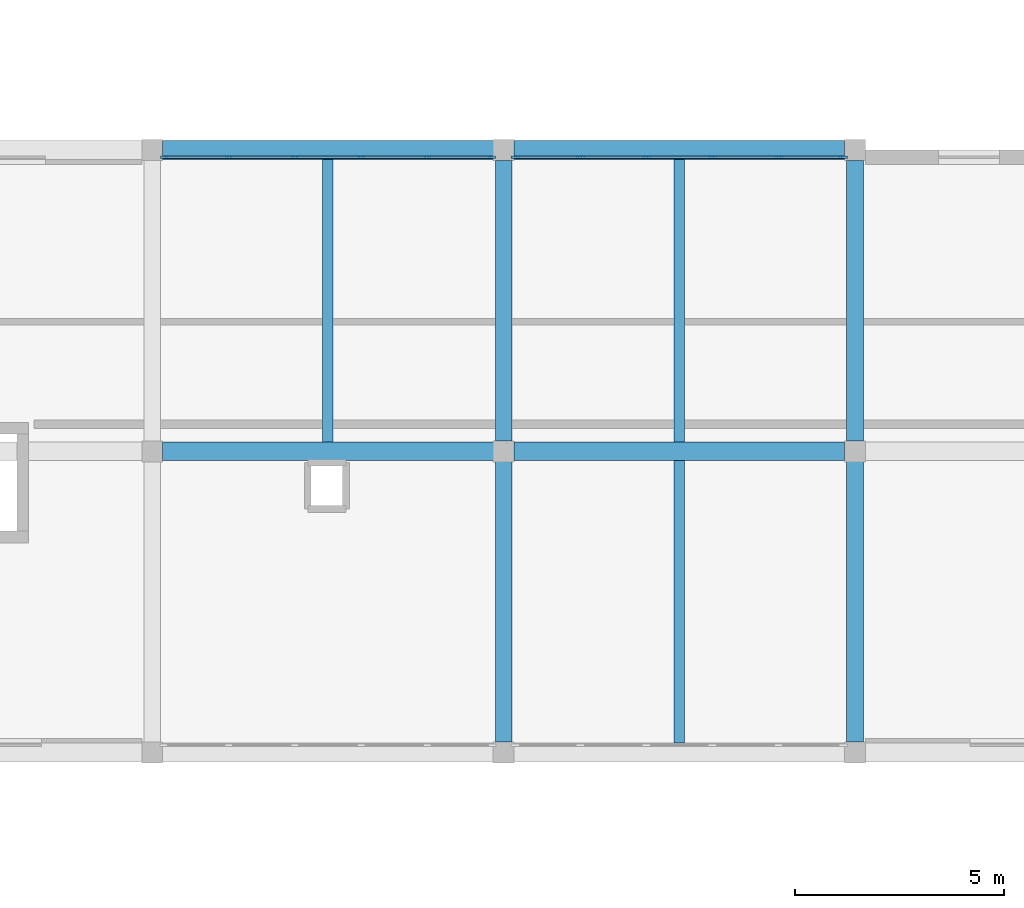
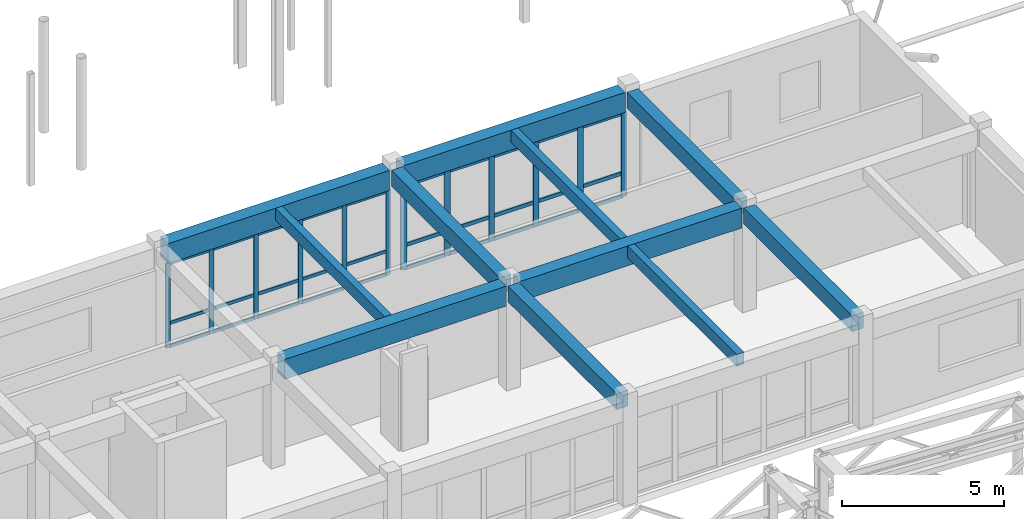
# One storey, part 49 of 90: 42 members, 11 beams, 2 elements without a shape of their own.
"""IFC4 building model written with IfcOpenShell, lengths in metres."""

from ifc_helpers import new_model, si_unit, direction, frame, origin, origin_2d, place, context, subcontext, project, spatial, rectangle, extrude, material, material_profile, profile_set, type_object, element, aggregate, save


model = new_model("IFC4")

# Units and contexts
model_context = context("Model", 3, precision=1e-05, world=origin(), true_north=direction((0.0, 1.0)))
body_context = subcontext(model_context, "Body", "Model", "MODEL_VIEW")
ifc_project = project(units=[si_unit("LENGTHUNIT", "METRE"), si_unit("AREAUNIT", "SQUARE_METRE"), si_unit("VOLUMEUNIT", "CUBIC_METRE"), si_unit("PLANEANGLEUNIT", "RADIAN"), si_unit("MASSUNIT", "GRAM", prefix="KILO")], contexts=[model_context])

# Site, building, storey
site_placement = place(None, origin())
site = spatial("IfcSite", under=ifc_project, at=site_placement, CompositionType="ELEMENT")
building_placement = place(site_placement, origin())
building = spatial("IfcBuilding", under=site, at=building_placement, Name="Malvenik Polytechnic", CompositionType="ELEMENT")
storey_placement = place(building_placement, frame((0.0, 0.0, 9.300048828125)))
storey = spatial("IfcBuildingStorey", under=building, at=storey_placement, Name="L02", CompositionType="ELEMENT", Elevation=9.300048828125)

# Curtain wall, members
ifc_material_1 = material(Name="Anodised aluminium 6060-T6", Category="aluminium")
curtain_wall_type = type_object("IfcCurtainWallType", Name="ARC-CW-CW-03", PredefinedType="NOTDEFINED", material=ifc_material_1)
curtain_wall_1_placement = place(storey_placement, origin())
curtain_wall_1 = element("IfcCurtainWall", 1, at=curtain_wall_1_placement, inside=storey, type_object=curtain_wall_type, Name="Unitised Curtain Wall CW-03 L02 #155", PredefinedType="NOTDEFINED")
ifc_material_2 = material(Name="Anodised aluminium", Category="aluminium")
ifc_material_profile_1 = material_profile(ifc_material_2, rectangle(XDim=0.06005859375, YDim=0.159912109375, at=origin_2d()), Name="ALU MULLION 60x160")
ifc_profile_set_1 = profile_set([ifc_material_profile_1], Name="Anodised aluminium")
member_type_1 = type_object("IfcMemberType", Name="ARC-CWM-160", PredefinedType="MULLION", material=ifc_profile_set_1)
member_1_placement = place(storey_placement, frame((109.47802734375, 93.429931640625, 0.0), z_axis=(0.0, 0.0, 1.0), x_axis=(0.0, 1.0, 0.0)))
member_1 = element("IfcMember", 2, at=member_1_placement, type_object=member_type_1, Name="CW-03 mullion 1", PredefinedType="MULLION", context=body_context, shape_type="SweptSolid", body=[
    extrude(rectangle(XDim=0.06005859375, YDim=0.159912109375, at=origin_2d()), origin(), (0.0, 0.0, 1.0), 3.179931640625),
])
member_2_placement = place(storey_placement, frame((111.02880859375, 93.429931640625, 0.0), z_axis=(0.0, 0.0, 1.0), x_axis=(0.0, 1.0, 0.0)))
member_2 = element("IfcMember", 3, at=member_2_placement, type_object=member_type_1, Name="CW-03 mullion 2", PredefinedType="MULLION", context=body_context, shape_type="SweptSolid", body=[
    extrude(rectangle(XDim=0.06005859375, YDim=0.159912109375, at=origin_2d()), origin(), (0.0, 0.0, 1.0), 3.179931640625),
])
member_3_placement = place(storey_placement, frame((112.609619140625, 93.429931640625, 0.0), z_axis=(0.0, 0.0, 1.0), x_axis=(0.0, 1.0, 0.0)))
member_3 = element("IfcMember", 4, at=member_3_placement, type_object=member_type_1, Name="CW-03 mullion 3", PredefinedType="MULLION", context=body_context, shape_type="SweptSolid", body=[
    extrude(rectangle(XDim=0.06005859375, YDim=0.159912109375, at=origin_2d()), origin(), (0.0, 0.0, 1.0), 3.179931640625),
])
member_4_placement = place(storey_placement, frame((114.1904296875, 93.429931640625, 0.0), z_axis=(0.0, 0.0, 1.0), x_axis=(0.0, 1.0, 0.0)))
member_4 = element("IfcMember", 5, at=member_4_placement, type_object=member_type_1, Name="CW-03 mullion 4", PredefinedType="MULLION", context=body_context, shape_type="SweptSolid", body=[
    extrude(rectangle(XDim=0.06005859375, YDim=0.159912109375, at=origin_2d()), origin(), (0.0, 0.0, 1.0), 3.179931640625),
])
member_5_placement = place(storey_placement, frame((115.771240234375, 93.429931640625, 0.0), z_axis=(0.0, 0.0, 1.0), x_axis=(0.0, 1.0, 0.0)))
member_5 = element("IfcMember", 6, at=member_5_placement, type_object=member_type_1, Name="CW-03 mullion 5", PredefinedType="MULLION", context=body_context, shape_type="SweptSolid", body=[
    extrude(rectangle(XDim=0.06005859375, YDim=0.159912109375, at=origin_2d()), origin(), (0.0, 0.0, 1.0), 3.179931640625),
])
member_6_placement = place(storey_placement, frame((117.322021484375, 93.429931640625, 0.0), z_axis=(0.0, 0.0, 1.0), x_axis=(0.0, 1.0, 0.0)))
member_6 = element("IfcMember", 7, at=member_6_placement, type_object=member_type_1, Name="CW-03 mullion 6", PredefinedType="MULLION", context=body_context, shape_type="SweptSolid", body=[
    extrude(rectangle(XDim=0.06005859375, YDim=0.159912109375, at=origin_2d()), origin(), (0.0, 0.0, 1.0), 3.179931640625),
])

curtain_wall_2_placement = place(storey_placement, origin())
curtain_wall_2 = element("IfcCurtainWall", 8, at=curtain_wall_2_placement, inside=storey, type_object=curtain_wall_type, Name="Unitised Curtain Wall CW-03 L02 #156", PredefinedType="NOTDEFINED")
ifc_material_profile_2 = material_profile(ifc_material_2, rectangle(XDim=0.06005859375, YDim=0.199951171875, at=origin_2d()), Name="ALU MULLION 60x200")
ifc_profile_set_2 = profile_set([ifc_material_profile_2], Name="Anodised aluminium")
member_type_2 = type_object("IfcMemberType", Name="ARC-CWM-200", PredefinedType="MULLION", material=ifc_profile_set_2)
member_7_placement = place(storey_placement, frame((117.8779296875, 93.429931640625, 0.0), z_axis=(0.0, 0.0, 1.0), x_axis=(0.0, 1.0, 0.0)))
member_7 = element("IfcMember", 9, at=member_7_placement, type_object=member_type_2, Name="CW-03 mullion 1", PredefinedType="MULLION", context=body_context, shape_type="SweptSolid", body=[
    extrude(rectangle(XDim=0.06005859375, YDim=0.199951171875, at=origin_2d()), origin(), (0.0, 0.0, 1.0), 3.179931640625),
])
member_8_placement = place(storey_placement, frame((119.4287109375, 93.429931640625, 0.0), z_axis=(0.0, 0.0, 1.0), x_axis=(0.0, 1.0, 0.0)))
member_8 = element("IfcMember", 10, at=member_8_placement, type_object=member_type_2, Name="CW-03 mullion 2", PredefinedType="MULLION", context=body_context, shape_type="SweptSolid", body=[
    extrude(rectangle(XDim=0.06005859375, YDim=0.199951171875, at=origin_2d()), origin(), (0.0, 0.0, 1.0), 3.179931640625),
])
member_9_placement = place(storey_placement, frame((121.009521484375, 93.429931640625, 0.0), z_axis=(0.0, 0.0, 1.0), x_axis=(0.0, 1.0, 0.0)))
member_9 = element("IfcMember", 11, at=member_9_placement, type_object=member_type_2, Name="CW-03 mullion 3", PredefinedType="MULLION", context=body_context, shape_type="SweptSolid", body=[
    extrude(rectangle(XDim=0.06005859375, YDim=0.199951171875, at=origin_2d()), origin(), (0.0, 0.0, 1.0), 3.179931640625),
])
member_10_placement = place(storey_placement, frame((122.59033203125, 93.429931640625, 0.0), z_axis=(0.0, 0.0, 1.0), x_axis=(0.0, 1.0, 0.0)))
member_10 = element("IfcMember", 12, at=member_10_placement, type_object=member_type_2, Name="CW-03 mullion 4", PredefinedType="MULLION", context=body_context, shape_type="SweptSolid", body=[
    extrude(rectangle(XDim=0.06005859375, YDim=0.199951171875, at=origin_2d()), origin(), (0.0, 0.0, 1.0), 3.179931640625),
])
member_11_placement = place(storey_placement, frame((124.171142578125, 93.429931640625, 0.0), z_axis=(0.0, 0.0, 1.0), x_axis=(0.0, 1.0, 0.0)))
member_11 = element("IfcMember", 13, at=member_11_placement, type_object=member_type_2, Name="CW-03 mullion 5", PredefinedType="MULLION", context=body_context, shape_type="SweptSolid", body=[
    extrude(rectangle(XDim=0.06005859375, YDim=0.199951171875, at=origin_2d()), origin(), (0.0, 0.0, 1.0), 3.179931640625),
])
member_12_placement = place(storey_placement, frame((125.721923828125, 93.429931640625, 0.0), z_axis=(0.0, 0.0, 1.0), x_axis=(0.0, 1.0, 0.0)))
member_12 = element("IfcMember", 14, at=member_12_placement, type_object=member_type_2, Name="CW-03 mullion 6", PredefinedType="MULLION", context=body_context, shape_type="SweptSolid", body=[
    extrude(rectangle(XDim=0.06005859375, YDim=0.199951171875, at=origin_2d()), origin(), (0.0, 0.0, 1.0), 3.179931640625),
])

# Member
ifc_material_profile_3 = material_profile(ifc_material_2, rectangle(XDim=0.06005859375, YDim=0.1201171875, at=origin_2d()), Name="ALU TRANSOM 60x120")
ifc_profile_set_3 = profile_set([ifc_material_profile_3], Name="Anodised aluminium")
member_type_3 = type_object("IfcMemberType", Name="ARC-CWT-120", PredefinedType="USERDEFINED", material=ifc_profile_set_3)
member_13_placement = place(storey_placement, frame((109.508056640625, 93.429931640625, 0.030029296875), z_axis=(1.0, 0.0, 0.0), x_axis=(0.0, 1.0, 0.0)))
member_13 = element("IfcMember", 15, at=member_13_placement, type_object=member_type_3, Name="CW-03 transom 1.1", ObjectType="TRANSOM", PredefinedType="USERDEFINED", context=body_context, shape_type="SweptSolid", body=[
    extrude(rectangle(XDim=0.06005859375, YDim=0.1201171875, at=origin_2d()), origin(), (0.0, 0.0, 1.0), 1.49072265625),
])

member_14_placement = place(storey_placement, frame((109.508056640625, 93.429931640625, 0.89990234375), z_axis=(1.0, 0.0, 0.0), x_axis=(0.0, 1.0, 0.0)))
member_14 = element("IfcMember", 16, at=member_14_placement, type_object=member_type_3, Name="CW-03 transom 1.2", ObjectType="TRANSOM", PredefinedType="USERDEFINED", context=body_context, shape_type="SweptSolid", body=[
    extrude(rectangle(XDim=0.06005859375, YDim=0.1201171875, at=origin_2d()), origin(), (0.0, 0.0, 1.0), 1.49072265625),
])

member_15_placement = place(storey_placement, frame((109.508056640625, 93.429931640625, 3.14990234375), z_axis=(1.0, 0.0, 0.0), x_axis=(0.0, 1.0, 0.0)))
member_15 = element("IfcMember", 17, at=member_15_placement, type_object=member_type_3, Name="CW-03 transom 1.3", ObjectType="TRANSOM", PredefinedType="USERDEFINED", context=body_context, shape_type="SweptSolid", body=[
    extrude(rectangle(XDim=0.06005859375, YDim=0.1201171875, at=origin_2d()), origin(), (0.0, 0.0, 1.0), 1.49072265625),
])

member_16_placement = place(storey_placement, frame((111.058837890625, 93.429931640625, 0.030029296875), z_axis=(1.0, 0.0, 0.0), x_axis=(0.0, 1.0, 0.0)))
member_16 = element("IfcMember", 18, at=member_16_placement, type_object=member_type_3, Name="CW-03 transom 2.1", ObjectType="TRANSOM", PredefinedType="USERDEFINED", context=body_context, shape_type="SweptSolid", body=[
    extrude(rectangle(XDim=0.06005859375, YDim=0.1201171875, at=origin_2d()), origin(), (0.0, 0.0, 1.0), 1.520751953125),
])

member_17_placement = place(storey_placement, frame((111.058837890625, 93.429931640625, 0.89990234375), z_axis=(1.0, 0.0, 0.0), x_axis=(0.0, 1.0, 0.0)))
member_17 = element("IfcMember", 19, at=member_17_placement, type_object=member_type_3, Name="CW-03 transom 2.2", ObjectType="TRANSOM", PredefinedType="USERDEFINED", context=body_context, shape_type="SweptSolid", body=[
    extrude(rectangle(XDim=0.06005859375, YDim=0.1201171875, at=origin_2d()), origin(), (0.0, 0.0, 1.0), 1.520751953125),
])

member_18_placement = place(storey_placement, frame((111.058837890625, 93.429931640625, 3.14990234375), z_axis=(1.0, 0.0, 0.0), x_axis=(0.0, 1.0, 0.0)))
member_18 = element("IfcMember", 20, at=member_18_placement, type_object=member_type_3, Name="CW-03 transom 2.3", ObjectType="TRANSOM", PredefinedType="USERDEFINED", context=body_context, shape_type="SweptSolid", body=[
    extrude(rectangle(XDim=0.06005859375, YDim=0.1201171875, at=origin_2d()), origin(), (0.0, 0.0, 1.0), 1.520751953125),
])

member_19_placement = place(storey_placement, frame((112.6396484375, 93.429931640625, 0.030029296875), z_axis=(1.0, 0.0, 0.0), x_axis=(0.0, 1.0, 0.0)))
member_19 = element("IfcMember", 21, at=member_19_placement, type_object=member_type_3, Name="CW-03 transom 3.1", ObjectType="TRANSOM", PredefinedType="USERDEFINED", context=body_context, shape_type="SweptSolid", body=[
    extrude(rectangle(XDim=0.06005859375, YDim=0.1201171875, at=origin_2d()), origin(), (0.0, 0.0, 1.0), 1.520751953125),
])

member_20_placement = place(storey_placement, frame((112.6396484375, 93.429931640625, 0.89990234375), z_axis=(1.0, 0.0, 0.0), x_axis=(0.0, 1.0, 0.0)))
member_20 = element("IfcMember", 22, at=member_20_placement, type_object=member_type_3, Name="CW-03 transom 3.2", ObjectType="TRANSOM", PredefinedType="USERDEFINED", context=body_context, shape_type="SweptSolid", body=[
    extrude(rectangle(XDim=0.06005859375, YDim=0.1201171875, at=origin_2d()), origin(), (0.0, 0.0, 1.0), 1.520751953125),
])

member_21_placement = place(storey_placement, frame((112.6396484375, 93.429931640625, 3.14990234375), z_axis=(1.0, 0.0, 0.0), x_axis=(0.0, 1.0, 0.0)))
member_21 = element("IfcMember", 23, at=member_21_placement, type_object=member_type_3, Name="CW-03 transom 3.3", ObjectType="TRANSOM", PredefinedType="USERDEFINED", context=body_context, shape_type="SweptSolid", body=[
    extrude(rectangle(XDim=0.06005859375, YDim=0.1201171875, at=origin_2d()), origin(), (0.0, 0.0, 1.0), 1.520751953125),
])

member_22_placement = place(storey_placement, frame((114.220458984375, 93.429931640625, 0.030029296875), z_axis=(1.0, 0.0, 0.0), x_axis=(0.0, 1.0, 0.0)))
member_22 = element("IfcMember", 24, at=member_22_placement, type_object=member_type_3, Name="CW-03 transom 4.1", ObjectType="TRANSOM", PredefinedType="USERDEFINED", context=body_context, shape_type="SweptSolid", body=[
    extrude(rectangle(XDim=0.06005859375, YDim=0.1201171875, at=origin_2d()), origin(), (0.0, 0.0, 1.0), 1.520751953125),
])

member_23_placement = place(storey_placement, frame((114.220458984375, 93.429931640625, 0.89990234375), z_axis=(1.0, 0.0, 0.0), x_axis=(0.0, 1.0, 0.0)))
member_23 = element("IfcMember", 25, at=member_23_placement, type_object=member_type_3, Name="CW-03 transom 4.2", ObjectType="TRANSOM", PredefinedType="USERDEFINED", context=body_context, shape_type="SweptSolid", body=[
    extrude(rectangle(XDim=0.06005859375, YDim=0.1201171875, at=origin_2d()), origin(), (0.0, 0.0, 1.0), 1.520751953125),
])

member_24_placement = place(storey_placement, frame((114.220458984375, 93.429931640625, 3.14990234375), z_axis=(1.0, 0.0, 0.0), x_axis=(0.0, 1.0, 0.0)))
member_24 = element("IfcMember", 26, at=member_24_placement, type_object=member_type_3, Name="CW-03 transom 4.3", ObjectType="TRANSOM", PredefinedType="USERDEFINED", context=body_context, shape_type="SweptSolid", body=[
    extrude(rectangle(XDim=0.06005859375, YDim=0.1201171875, at=origin_2d()), origin(), (0.0, 0.0, 1.0), 1.520751953125),
])

member_25_placement = place(storey_placement, frame((115.80126953125, 93.429931640625, 0.030029296875), z_axis=(1.0, 0.0, 0.0), x_axis=(0.0, 1.0, 0.0)))
member_25 = element("IfcMember", 27, at=member_25_placement, type_object=member_type_3, Name="CW-03 transom 5.1", ObjectType="TRANSOM", PredefinedType="USERDEFINED", context=body_context, shape_type="SweptSolid", body=[
    extrude(rectangle(XDim=0.06005859375, YDim=0.1201171875, at=origin_2d()), origin(), (0.0, 0.0, 1.0), 1.49072265625),
])

member_26_placement = place(storey_placement, frame((115.80126953125, 93.429931640625, 0.89990234375), z_axis=(1.0, 0.0, 0.0), x_axis=(0.0, 1.0, 0.0)))
member_26 = element("IfcMember", 28, at=member_26_placement, type_object=member_type_3, Name="CW-03 transom 5.2", ObjectType="TRANSOM", PredefinedType="USERDEFINED", context=body_context, shape_type="SweptSolid", body=[
    extrude(rectangle(XDim=0.06005859375, YDim=0.1201171875, at=origin_2d()), origin(), (0.0, 0.0, 1.0), 1.49072265625),
])

member_27_placement = place(storey_placement, frame((115.80126953125, 93.429931640625, 3.14990234375), z_axis=(1.0, 0.0, 0.0), x_axis=(0.0, 1.0, 0.0)))
member_27 = element("IfcMember", 29, at=member_27_placement, type_object=member_type_3, Name="CW-03 transom 5.3", ObjectType="TRANSOM", PredefinedType="USERDEFINED", context=body_context, shape_type="SweptSolid", body=[
    extrude(rectangle(XDim=0.06005859375, YDim=0.1201171875, at=origin_2d()), origin(), (0.0, 0.0, 1.0), 1.49072265625),
])

aggregate(curtain_wall_1, [member_1, member_2, member_3, member_4, member_5, member_6, member_13, member_14, member_15, member_16, member_17, member_18, member_19, member_20, member_21, member_22, member_23, member_24, member_25, member_26, member_27])

ifc_material_profile_4 = material_profile(ifc_material_2, rectangle(XDim=0.06005859375, YDim=0.139892578125, at=origin_2d()), Name="ALU TRANSOM 60x140")
ifc_profile_set_4 = profile_set([ifc_material_profile_4], Name="Anodised aluminium")
member_type_4 = type_object("IfcMemberType", Name="ARC-CWT-140", PredefinedType="USERDEFINED", material=ifc_profile_set_4)
member_28_placement = place(storey_placement, frame((117.907958984375, 93.429931640625, 0.030029296875), z_axis=(1.0, 0.0, 0.0), x_axis=(0.0, 1.0, 0.0)))
member_28 = element("IfcMember", 30, at=member_28_placement, type_object=member_type_4, Name="CW-03 transom 1.1", ObjectType="TRANSOM", PredefinedType="USERDEFINED", context=body_context, shape_type="SweptSolid", body=[
    extrude(rectangle(XDim=0.06005859375, YDim=0.139892578125, at=origin_2d()), origin(), (0.0, 0.0, 1.0), 1.49072265625),
])

member_29_placement = place(storey_placement, frame((117.907958984375, 93.429931640625, 0.89990234375), z_axis=(1.0, 0.0, 0.0), x_axis=(0.0, 1.0, 0.0)))
member_29 = element("IfcMember", 31, at=member_29_placement, type_object=member_type_4, Name="CW-03 transom 1.2", ObjectType="TRANSOM", PredefinedType="USERDEFINED", context=body_context, shape_type="SweptSolid", body=[
    extrude(rectangle(XDim=0.06005859375, YDim=0.139892578125, at=origin_2d()), origin(), (0.0, 0.0, 1.0), 1.49072265625),
])

member_30_placement = place(storey_placement, frame((117.907958984375, 93.429931640625, 3.14990234375), z_axis=(1.0, 0.0, 0.0), x_axis=(0.0, 1.0, 0.0)))
member_30 = element("IfcMember", 32, at=member_30_placement, type_object=member_type_4, Name="CW-03 transom 1.3", ObjectType="TRANSOM", PredefinedType="USERDEFINED", context=body_context, shape_type="SweptSolid", body=[
    extrude(rectangle(XDim=0.06005859375, YDim=0.139892578125, at=origin_2d()), origin(), (0.0, 0.0, 1.0), 1.49072265625),
])

member_31_placement = place(storey_placement, frame((119.458740234375, 93.429931640625, 0.030029296875), z_axis=(1.0, 0.0, 0.0), x_axis=(0.0, 1.0, 0.0)))
member_31 = element("IfcMember", 33, at=member_31_placement, type_object=member_type_4, Name="CW-03 transom 2.1", ObjectType="TRANSOM", PredefinedType="USERDEFINED", context=body_context, shape_type="SweptSolid", body=[
    extrude(rectangle(XDim=0.06005859375, YDim=0.139892578125, at=origin_2d()), origin(), (0.0, 0.0, 1.0), 1.520751953125),
])

member_32_placement = place(storey_placement, frame((119.458740234375, 93.429931640625, 0.89990234375), z_axis=(1.0, 0.0, 0.0), x_axis=(0.0, 1.0, 0.0)))
member_32 = element("IfcMember", 34, at=member_32_placement, type_object=member_type_4, Name="CW-03 transom 2.2", ObjectType="TRANSOM", PredefinedType="USERDEFINED", context=body_context, shape_type="SweptSolid", body=[
    extrude(rectangle(XDim=0.06005859375, YDim=0.139892578125, at=origin_2d()), origin(), (0.0, 0.0, 1.0), 1.520751953125),
])

member_33_placement = place(storey_placement, frame((119.458740234375, 93.429931640625, 3.14990234375), z_axis=(1.0, 0.0, 0.0), x_axis=(0.0, 1.0, 0.0)))
member_33 = element("IfcMember", 35, at=member_33_placement, type_object=member_type_4, Name="CW-03 transom 2.3", ObjectType="TRANSOM", PredefinedType="USERDEFINED", context=body_context, shape_type="SweptSolid", body=[
    extrude(rectangle(XDim=0.06005859375, YDim=0.139892578125, at=origin_2d()), origin(), (0.0, 0.0, 1.0), 1.520751953125),
])

member_34_placement = place(storey_placement, frame((121.03955078125, 93.429931640625, 0.030029296875), z_axis=(1.0, 0.0, 0.0), x_axis=(0.0, 1.0, 0.0)))
member_34 = element("IfcMember", 36, at=member_34_placement, type_object=member_type_4, Name="CW-03 transom 3.1", ObjectType="TRANSOM", PredefinedType="USERDEFINED", context=body_context, shape_type="SweptSolid", body=[
    extrude(rectangle(XDim=0.06005859375, YDim=0.139892578125, at=origin_2d()), origin(), (0.0, 0.0, 1.0), 1.520751953125),
])

member_35_placement = place(storey_placement, frame((121.03955078125, 93.429931640625, 0.89990234375), z_axis=(1.0, 0.0, 0.0), x_axis=(0.0, 1.0, 0.0)))
member_35 = element("IfcMember", 37, at=member_35_placement, type_object=member_type_4, Name="CW-03 transom 3.2", ObjectType="TRANSOM", PredefinedType="USERDEFINED", context=body_context, shape_type="SweptSolid", body=[
    extrude(rectangle(XDim=0.06005859375, YDim=0.139892578125, at=origin_2d()), origin(), (0.0, 0.0, 1.0), 1.520751953125),
])

member_36_placement = place(storey_placement, frame((121.03955078125, 93.429931640625, 3.14990234375), z_axis=(1.0, 0.0, 0.0), x_axis=(0.0, 1.0, 0.0)))
member_36 = element("IfcMember", 38, at=member_36_placement, type_object=member_type_4, Name="CW-03 transom 3.3", ObjectType="TRANSOM", PredefinedType="USERDEFINED", context=body_context, shape_type="SweptSolid", body=[
    extrude(rectangle(XDim=0.06005859375, YDim=0.139892578125, at=origin_2d()), origin(), (0.0, 0.0, 1.0), 1.520751953125),
])

member_37_placement = place(storey_placement, frame((122.620361328125, 93.429931640625, 0.030029296875), z_axis=(1.0, 0.0, 0.0), x_axis=(0.0, 1.0, 0.0)))
member_37 = element("IfcMember", 39, at=member_37_placement, type_object=member_type_4, Name="CW-03 transom 4.1", ObjectType="TRANSOM", PredefinedType="USERDEFINED", context=body_context, shape_type="SweptSolid", body=[
    extrude(rectangle(XDim=0.06005859375, YDim=0.139892578125, at=origin_2d()), origin(), (0.0, 0.0, 1.0), 1.520751953125),
])

member_38_placement = place(storey_placement, frame((122.620361328125, 93.429931640625, 0.89990234375), z_axis=(1.0, 0.0, 0.0), x_axis=(0.0, 1.0, 0.0)))
member_38 = element("IfcMember", 40, at=member_38_placement, type_object=member_type_4, Name="CW-03 transom 4.2", ObjectType="TRANSOM", PredefinedType="USERDEFINED", context=body_context, shape_type="SweptSolid", body=[
    extrude(rectangle(XDim=0.06005859375, YDim=0.139892578125, at=origin_2d()), origin(), (0.0, 0.0, 1.0), 1.520751953125),
])

member_39_placement = place(storey_placement, frame((122.620361328125, 93.429931640625, 3.14990234375), z_axis=(1.0, 0.0, 0.0), x_axis=(0.0, 1.0, 0.0)))
member_39 = element("IfcMember", 41, at=member_39_placement, type_object=member_type_4, Name="CW-03 transom 4.3", ObjectType="TRANSOM", PredefinedType="USERDEFINED", context=body_context, shape_type="SweptSolid", body=[
    extrude(rectangle(XDim=0.06005859375, YDim=0.139892578125, at=origin_2d()), origin(), (0.0, 0.0, 1.0), 1.520751953125),
])

member_40_placement = place(storey_placement, frame((124.201171875, 93.429931640625, 0.030029296875), z_axis=(1.0, 0.0, 0.0), x_axis=(0.0, 1.0, 0.0)))
member_40 = element("IfcMember", 42, at=member_40_placement, type_object=member_type_4, Name="CW-03 transom 5.1", ObjectType="TRANSOM", PredefinedType="USERDEFINED", context=body_context, shape_type="SweptSolid", body=[
    extrude(rectangle(XDim=0.06005859375, YDim=0.139892578125, at=origin_2d()), origin(), (0.0, 0.0, 1.0), 1.49072265625),
])

member_41_placement = place(storey_placement, frame((124.201171875, 93.429931640625, 0.89990234375), z_axis=(1.0, 0.0, 0.0), x_axis=(0.0, 1.0, 0.0)))
member_41 = element("IfcMember", 43, at=member_41_placement, type_object=member_type_4, Name="CW-03 transom 5.2", ObjectType="TRANSOM", PredefinedType="USERDEFINED", context=body_context, shape_type="SweptSolid", body=[
    extrude(rectangle(XDim=0.06005859375, YDim=0.139892578125, at=origin_2d()), origin(), (0.0, 0.0, 1.0), 1.49072265625),
])

member_42_placement = place(storey_placement, frame((124.201171875, 93.429931640625, 3.14990234375), z_axis=(1.0, 0.0, 0.0), x_axis=(0.0, 1.0, 0.0)))
member_42 = element("IfcMember", 44, at=member_42_placement, type_object=member_type_4, Name="CW-03 transom 5.3", ObjectType="TRANSOM", PredefinedType="USERDEFINED", context=body_context, shape_type="SweptSolid", body=[
    extrude(rectangle(XDim=0.06005859375, YDim=0.139892578125, at=origin_2d()), origin(), (0.0, 0.0, 1.0), 1.49072265625),
])

aggregate(curtain_wall_2, [member_7, member_8, member_9, member_10, member_11, member_12, member_28, member_29, member_30, member_31, member_32, member_33, member_34, member_35, member_36, member_37, member_38, member_39, member_40, member_41, member_42])

# Beams
ifc_material_3 = material(Name="Concrete C35/45", Category="concrete")
ifc_material_profile_5 = material_profile(ifc_material_3, rectangle(XDim=0.449951171875, YDim=0.75, at=origin_2d()), Name="RC BM 450x750")
ifc_profile_set_5 = profile_set([ifc_material_profile_5], Name="Concrete C35/45")
beam_type_1 = type_object("IfcBeamType", Name="STR-BM-B-03", PredefinedType="BEAM", material=ifc_profile_set_5)
for number, where, z_axis, x_axis, name in (
    (45, (109.447998046875, 86.39990234375, 3.56494140625), (1.0, 0.0, 0.0), (0.0, 1.0, 0.0), "Primary Beam B-03 L02 #1401"),
    (46, (117.847900390625, 86.39990234375, 3.56494140625), (1.0, 0.0, 0.0), (0.0, 1.0, 0.0), "Primary Beam B-03 L02 #1402"),
):
    element("IfcBeam", number, at=place(storey_placement, frame(where, z_axis=z_axis, x_axis=x_axis)), inside=storey, type_object=beam_type_1, Name=name, PredefinedType="BEAM", context=body_context, shape_type="SweptSolid", body=[
        extrude(rectangle(XDim=0.449951171875, YDim=0.75, at=origin_2d()), origin(), (0.0, 0.0, 1.0), 7.904052734375),
    ])
ifc_material_profile_6 = material_profile(ifc_material_3, rectangle(XDim=0.39990234375, YDim=0.60009765625, at=origin_2d()), Name="RC BM 400x600")
ifc_profile_set_6 = profile_set([ifc_material_profile_6], Name="Concrete C35/45")
beam_type_2 = type_object("IfcBeamType", Name="STR-BM-B-06", PredefinedType="BEAM", material=ifc_profile_set_6)
for number, where, z_axis, x_axis, name in (
    (47, (117.60009765625, 79.447998046875, 3.639892578125), (0.0, 1.0, 0.0), (-1.0, 0.0, 0.0), "Transverse Beam B-06 L02 #1545"),
    (48, (117.60009765625, 86.64794921875, 3.639892578125), (0.0, 1.0, 0.0), (-1.0, 0.0, 0.0), "Transverse Beam B-06 L02 #1546"),
    (49, (126.0, 79.447998046875, 3.639892578125), (0.0, 1.0, 0.0), (-1.0, 0.0, 0.0), "Transverse Beam B-06 L02 #1551"),
    (50, (126.0, 86.64794921875, 3.639892578125), (0.0, 1.0, 0.0), (-1.0, 0.0, 0.0), "Transverse Beam B-06 L02 #1552"),
):
    element("IfcBeam", number, at=place(storey_placement, frame(where, z_axis=z_axis, x_axis=x_axis)), inside=storey, type_object=beam_type_2, Name=name, PredefinedType="BEAM", context=body_context, shape_type="SweptSolid", body=[
        extrude(rectangle(XDim=0.39990234375, YDim=0.60009765625, at=origin_2d()), origin(), (0.0, 0.0, 1.0), 6.7041015625),
    ])
ifc_material_4 = material(Name="Concrete C30/37", Category="concrete")
ifc_material_profile_7 = material_profile(ifc_material_4, rectangle(XDim=0.25, YDim=0.449951171875, at=origin_2d()), Name="RC JST 250x450")
ifc_profile_set_7 = profile_set([ifc_material_profile_7], Name="Concrete C30/37")
beam_type_3 = type_object("IfcBeamType", Name="STR-BM-J-02", PredefinedType="JOIST", material=ifc_profile_set_7)
for number, where, z_axis, x_axis, name in (
    (51, (113.39990234375, 86.623046875, 3.71484375), (0.0, 1.0, 0.0), (-1.0, 0.0, 0.0), "Secondary Rib Joist J-02 L02 #1609"),
    (52, (121.800048828125, 79.427978515625, 3.71484375), (0.0, 1.0, 0.0), (-1.0, 0.0, 0.0), "Secondary Rib Joist J-02 L02 #1613"),
    (53, (121.800048828125, 86.623046875, 3.71484375), (0.0, 1.0, 0.0), (-1.0, 0.0, 0.0), "Secondary Rib Joist J-02 L02 #1614"),
):
    element("IfcBeam", number, at=place(storey_placement, frame(where, z_axis=z_axis, x_axis=x_axis)), inside=storey, type_object=beam_type_3, Name=name, PredefinedType="JOIST", context=body_context, shape_type="SweptSolid", body=[
        extrude(rectangle(XDim=0.25, YDim=0.449951171875, at=origin_2d()), origin(), (0.0, 0.0, 1.0), 6.7490234375),
    ])
ifc_material_5 = material(Name="Precast concrete C40/50", Category="concrete")
ifc_material_profile_8 = material_profile(ifc_material_5, rectangle(XDim=0.4599609375, YDim=0.75, at=origin_2d()), Name="PC SPN 460x750")
ifc_profile_set_8 = profile_set([ifc_material_profile_8], Name="Precast concrete C40/50")
beam_type_4 = type_object("IfcBeamType", Name="STR-BM-SP-02", PredefinedType="SPANDREL", material=ifc_profile_set_8)
for number, where, z_axis, x_axis, name in (
    (54, (109.447998046875, 93.60009765625, 3.56494140625), (1.0, 0.0, 0.0), (0.0, 1.0, 0.0), "Primary Beam SP-02 L02 #1417"),
    (55, (117.847900390625, 93.60009765625, 3.56494140625), (1.0, 0.0, 0.0), (0.0, 1.0, 0.0), "Primary Beam SP-02 L02 #1418"),
):
    element("IfcBeam", number, at=place(storey_placement, frame(where, z_axis=z_axis, x_axis=x_axis)), inside=storey, type_object=beam_type_4, Name=name, PredefinedType="SPANDREL", context=body_context, shape_type="SweptSolid", body=[
        extrude(rectangle(XDim=0.4599609375, YDim=0.75, at=origin_2d()), origin(), (0.0, 0.0, 1.0), 7.904052734375),
    ])

save(model, "model.ifc")
